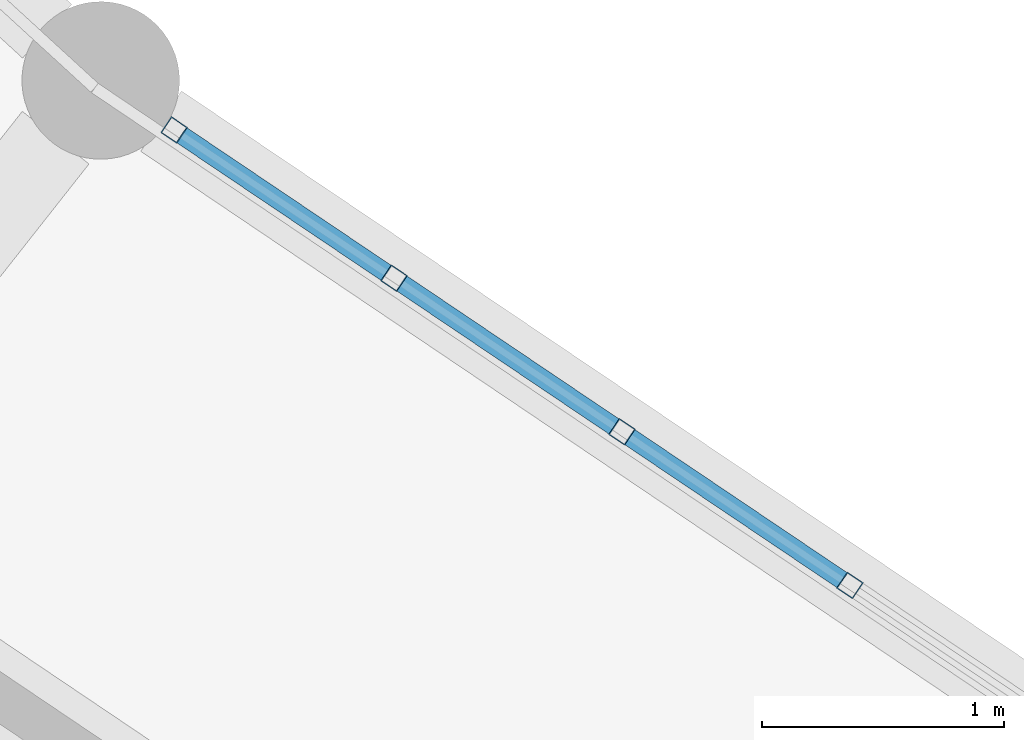
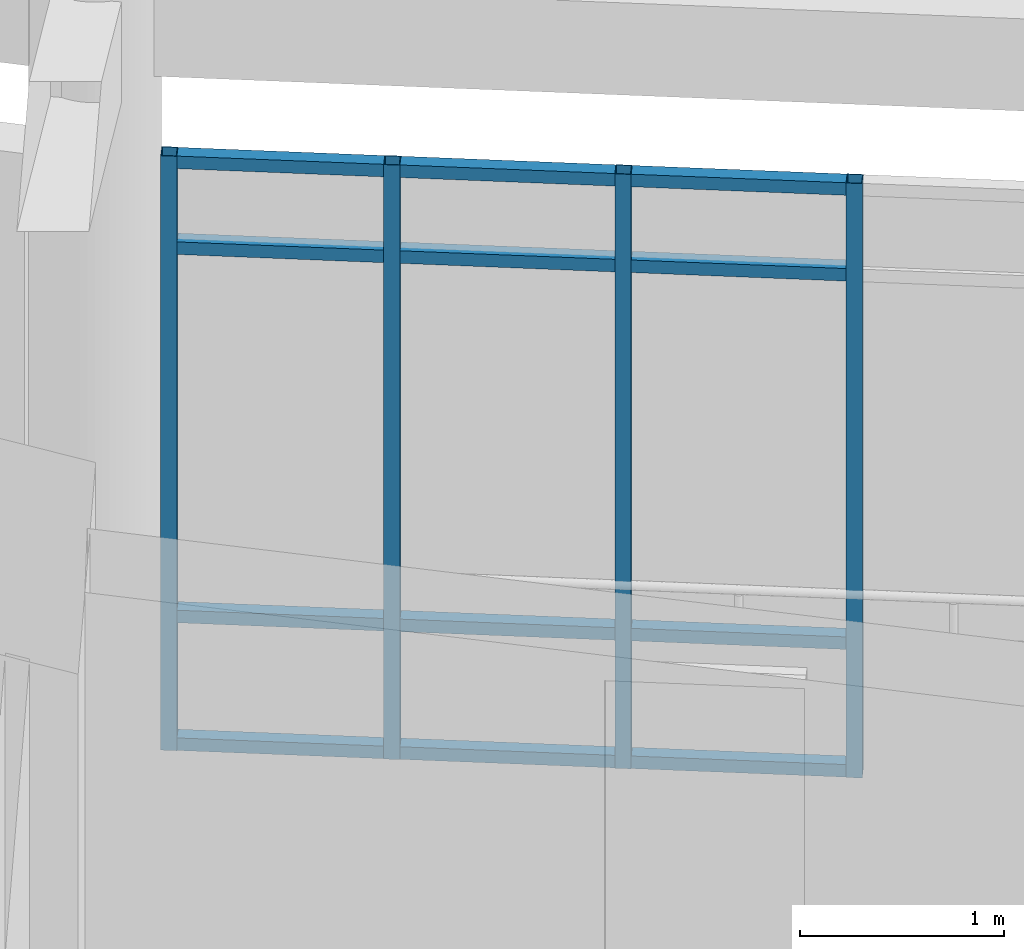
# One storey, part 17 of 159: 16 members, 1 element without a shape of its own.
"""IFC4 building model written with IfcOpenShell, lengths in metres."""

from ifc_helpers import new_model, si_unit, direction, frame, origin, origin_2d, place, context, subcontext, project, spatial, hollow_rectangle, extrude, material, material_profile, profile_set, type_object, element, aggregate, save


model = new_model("IFC4")

# Units and contexts
model_context = context("Model", 3, precision=1e-05, world=origin(), true_north=direction((0.0, 1.0)))
body_context = subcontext(model_context, "Body", "Model", "MODEL_VIEW")
ifc_project = project(units=[si_unit("LENGTHUNIT", "METRE"), si_unit("AREAUNIT", "SQUARE_METRE"), si_unit("VOLUMEUNIT", "CUBIC_METRE"), si_unit("PLANEANGLEUNIT", "RADIAN"), si_unit("MASSUNIT", "GRAM", prefix="KILO")], contexts=[model_context])

# Site, building, storey
site_placement = place(None, origin())
site = spatial("IfcSite", under=ifc_project, at=site_placement, CompositionType="ELEMENT")
building_placement = place(site_placement, origin())
building = spatial("IfcBuilding", under=site, at=building_placement, Name="Celadon Cloister-Ring School", CompositionType="ELEMENT")
storey_placement = place(building_placement, frame((0.0, 0.0, 4.5)))
storey = spatial("IfcBuildingStorey", under=building, at=storey_placement, Name="L01", CompositionType="ELEMENT", Elevation=4.5)

# Curtain wall, members
ifc_material_1 = material(Name="Aluminium EN AW-6063 T6", Category="aluminium")
curtain_wall_type = type_object("IfcCurtainWallType", Name="CW-01", PredefinedType="USERDEFINED", material=ifc_material_1)
curtain_wall_placement = place(storey_placement, origin())
curtain_wall = element("IfcCurtainWall", 1, at=curtain_wall_placement, inside=storey, type_object=curtain_wall_type, Name="Curtain Wall 0029", ObjectType="CURTAIN WALL", PredefinedType="USERDEFINED")
ifc_material_2 = material(Name="Aluminium EN AW-6063 T6", Category="aluminium")
ifc_material_profile_1 = material_profile(ifc_material_2, hollow_rectangle(XDim=0.080078125, YDim=0.080078125, WallThickness=0.00390625, at=origin_2d()), Name="RHS80X80X4")
ifc_profile_set_1 = profile_set([ifc_material_profile_1], Name="Aluminium EN AW-6063 T6")
member_type_1 = type_object("IfcMemberType", Name="CM-03", PredefinedType="MULLION", material=ifc_profile_set_1)
member_1_placement = place(storey_placement, frame((60.908203125, 25.293701171875, 0.0), z_axis=(0.0, 0.0, 1.0), x_axis=(0.558845550563, 0.829271759206, 0.0)))
member_1 = element("IfcMember", 2, at=member_1_placement, type_object=member_type_1, Name="CW-01 mullion 1", PredefinedType="MULLION", context=body_context, shape_type="SweptSolid", body=[
    extrude(hollow_rectangle(XDim=0.080078125, YDim=0.080078125, WallThickness=0.00390625, at=origin_2d()), origin(), (0.0, 0.0, 1.0), 3.550048828125),
])
member_2_placement = place(storey_placement, frame((61.815185546875, 24.682373046875, 0.0), z_axis=(0.0, 0.0, 1.0), x_axis=(0.558845550563, 0.829271759206, 0.0)))
member_2 = element("IfcMember", 3, at=member_2_placement, type_object=member_type_1, Name="CW-01 mullion 2", PredefinedType="MULLION", context=body_context, shape_type="SweptSolid", body=[
    extrude(hollow_rectangle(XDim=0.080078125, YDim=0.080078125, WallThickness=0.00390625, at=origin_2d()), origin(), (0.0, 0.0, 1.0), 3.550048828125),
])
member_3_placement = place(storey_placement, frame((62.75537109375, 24.048828125, 0.0), z_axis=(0.0, 0.0, 1.0), x_axis=(0.558845550563, 0.829271759206, 0.0)))
member_3 = element("IfcMember", 4, at=member_3_placement, type_object=member_type_1, Name="CW-01 mullion 3", PredefinedType="MULLION", context=body_context, shape_type="SweptSolid", body=[
    extrude(hollow_rectangle(XDim=0.080078125, YDim=0.080078125, WallThickness=0.00390625, at=origin_2d()), origin(), (0.0, 0.0, 1.0), 3.550048828125),
])
member_4_placement = place(storey_placement, frame((63.695556640625, 23.415283203125, 0.0), z_axis=(0.0, 0.0, 1.0), x_axis=(0.558845550563, 0.829271759206, 0.0)))
member_4 = element("IfcMember", 5, at=member_4_placement, type_object=member_type_1, Name="CW-01 mullion 4", PredefinedType="MULLION", context=body_context, shape_type="SweptSolid", body=[
    extrude(hollow_rectangle(XDim=0.080078125, YDim=0.080078125, WallThickness=0.00390625, at=origin_2d()), origin(), (0.0, 0.0, 1.0), 3.550048828125),
])
ifc_material_3 = material(Name="Aluminium EN AW-6063 T6", Category="aluminium")
ifc_material_profile_2 = material_profile(ifc_material_3, hollow_rectangle(XDim=0.074951171875, YDim=0.074951171875, WallThickness=0.00390625, at=origin_2d()), Name="RHS75X75X4")
ifc_profile_set_2 = profile_set([ifc_material_profile_2], Name="Aluminium EN AW-6063 T6")
member_type_2 = type_object("IfcMemberType", Name="CTM-03", PredefinedType="USERDEFINED", material=ifc_profile_set_2)
member_5_placement = place(storey_placement, frame((60.94140625, 25.271240234375, 0.03759765625), z_axis=(0.829297972766, -0.558806650252, 0.0), x_axis=(0.558806650252, 0.829297972766, 0.0)))
member_5 = element("IfcMember", 6, at=member_5_placement, type_object=member_type_2, Name="CW-01 transom 1.1", ObjectType="TRANSOM", PredefinedType="USERDEFINED", context=body_context, shape_type="SweptSolid", body=[
    extrude(hollow_rectangle(XDim=0.074951171875, YDim=0.074951171875, WallThickness=0.00390625, at=origin_2d()), origin(), (0.0, 0.0, 1.0), 1.013671875),
])
member_6_placement = place(storey_placement, frame((60.94140625, 25.271240234375, 0.800048828125), z_axis=(0.829297972766, -0.558806650252, 0.0), x_axis=(0.558806650252, 0.829297972766, 0.0)))
member_6 = element("IfcMember", 7, at=member_6_placement, type_object=member_type_2, Name="CW-01 transom 1.2", ObjectType="TRANSOM", PredefinedType="USERDEFINED", context=body_context, shape_type="SweptSolid", body=[
    extrude(hollow_rectangle(XDim=0.074951171875, YDim=0.074951171875, WallThickness=0.00390625, at=origin_2d()), origin(), (0.0, 0.0, 1.0), 1.013671875),
])
member_7_placement = place(storey_placement, frame((60.94140625, 25.271240234375, 3.0), z_axis=(0.829297972766, -0.558806650252, 0.0), x_axis=(0.558806650252, 0.829297972766, 0.0)))
member_7 = element("IfcMember", 8, at=member_7_placement, type_object=member_type_2, Name="CW-01 transom 1.3", ObjectType="TRANSOM", PredefinedType="USERDEFINED", context=body_context, shape_type="SweptSolid", body=[
    extrude(hollow_rectangle(XDim=0.074951171875, YDim=0.074951171875, WallThickness=0.00390625, at=origin_2d()), origin(), (0.0, 0.0, 1.0), 1.013671875),
])
member_8_placement = place(storey_placement, frame((60.94140625, 25.271240234375, 3.512451171875), z_axis=(0.829297972766, -0.558806650252, 0.0), x_axis=(0.558806650252, 0.829297972766, 0.0)))
member_8 = element("IfcMember", 9, at=member_8_placement, type_object=member_type_2, Name="CW-01 transom 1.4", ObjectType="TRANSOM", PredefinedType="USERDEFINED", context=body_context, shape_type="SweptSolid", body=[
    extrude(hollow_rectangle(XDim=0.074951171875, YDim=0.074951171875, WallThickness=0.00390625, at=origin_2d()), origin(), (0.0, 0.0, 1.0), 1.013671875),
])
member_9_placement = place(storey_placement, frame((61.848388671875, 24.66015625, 0.03759765625), z_axis=(0.829152042693, -0.559023157032, 0.0), x_axis=(0.559023157032, 0.829152042693, 0.0)))
member_9 = element("IfcMember", 10, at=member_9_placement, type_object=member_type_2, Name="CW-01 transom 2.1", ObjectType="TRANSOM", PredefinedType="USERDEFINED", context=body_context, shape_type="SweptSolid", body=[
    extrude(hollow_rectangle(XDim=0.074951171875, YDim=0.074951171875, WallThickness=0.00390625, at=origin_2d()), origin(), (0.0, 0.0, 1.0), 1.0537109375),
])
member_10_placement = place(storey_placement, frame((61.848388671875, 24.66015625, 0.800048828125), z_axis=(0.829152042693, -0.559023157032, 0.0), x_axis=(0.559023157032, 0.829152042693, 0.0)))
member_10 = element("IfcMember", 11, at=member_10_placement, type_object=member_type_2, Name="CW-01 transom 2.2", ObjectType="TRANSOM", PredefinedType="USERDEFINED", context=body_context, shape_type="SweptSolid", body=[
    extrude(hollow_rectangle(XDim=0.074951171875, YDim=0.074951171875, WallThickness=0.00390625, at=origin_2d()), origin(), (0.0, 0.0, 1.0), 1.0537109375),
])
member_11_placement = place(storey_placement, frame((61.848388671875, 24.66015625, 3.0), z_axis=(0.829152042693, -0.559023157032, 0.0), x_axis=(0.559023157032, 0.829152042693, 0.0)))
member_11 = element("IfcMember", 12, at=member_11_placement, type_object=member_type_2, Name="CW-01 transom 2.3", ObjectType="TRANSOM", PredefinedType="USERDEFINED", context=body_context, shape_type="SweptSolid", body=[
    extrude(hollow_rectangle(XDim=0.074951171875, YDim=0.074951171875, WallThickness=0.00390625, at=origin_2d()), origin(), (0.0, 0.0, 1.0), 1.0537109375),
])
member_12_placement = place(storey_placement, frame((61.848388671875, 24.66015625, 3.512451171875), z_axis=(0.829152042693, -0.559023157032, 0.0), x_axis=(0.559023157032, 0.829152042693, 0.0)))
member_12 = element("IfcMember", 13, at=member_12_placement, type_object=member_type_2, Name="CW-01 transom 2.4", ObjectType="TRANSOM", PredefinedType="USERDEFINED", context=body_context, shape_type="SweptSolid", body=[
    extrude(hollow_rectangle(XDim=0.074951171875, YDim=0.074951171875, WallThickness=0.00390625, at=origin_2d()), origin(), (0.0, 0.0, 1.0), 1.0537109375),
])
member_13_placement = place(storey_placement, frame((62.78857421875, 24.0263671875, 0.03759765625), z_axis=(0.829259424525, -0.558863853578, 0.0), x_axis=(0.558863853578, 0.829259424525, 0.0)))
member_13 = element("IfcMember", 14, at=member_13_placement, type_object=member_type_2, Name="CW-01 transom 3.1", ObjectType="TRANSOM", PredefinedType="USERDEFINED", context=body_context, shape_type="SweptSolid", body=[
    extrude(hollow_rectangle(XDim=0.074951171875, YDim=0.074951171875, WallThickness=0.00390625, at=origin_2d()), origin(), (0.0, 0.0, 1.0), 1.0537109375),
])
member_14_placement = place(storey_placement, frame((62.78857421875, 24.0263671875, 0.800048828125), z_axis=(0.829259424525, -0.558863853578, 0.0), x_axis=(0.558863853578, 0.829259424525, 0.0)))
member_14 = element("IfcMember", 15, at=member_14_placement, type_object=member_type_2, Name="CW-01 transom 3.2", ObjectType="TRANSOM", PredefinedType="USERDEFINED", context=body_context, shape_type="SweptSolid", body=[
    extrude(hollow_rectangle(XDim=0.074951171875, YDim=0.074951171875, WallThickness=0.00390625, at=origin_2d()), origin(), (0.0, 0.0, 1.0), 1.0537109375),
])
member_15_placement = place(storey_placement, frame((62.78857421875, 24.0263671875, 3.0), z_axis=(0.829259424525, -0.558863853578, 0.0), x_axis=(0.558863853578, 0.829259424525, 0.0)))
member_15 = element("IfcMember", 16, at=member_15_placement, type_object=member_type_2, Name="CW-01 transom 3.3", ObjectType="TRANSOM", PredefinedType="USERDEFINED", context=body_context, shape_type="SweptSolid", body=[
    extrude(hollow_rectangle(XDim=0.074951171875, YDim=0.074951171875, WallThickness=0.00390625, at=origin_2d()), origin(), (0.0, 0.0, 1.0), 1.0537109375),
])
member_16_placement = place(storey_placement, frame((62.78857421875, 24.0263671875, 3.512451171875), z_axis=(0.829259424525, -0.558863853578, 0.0), x_axis=(0.558863853578, 0.829259424525, 0.0)))
member_16 = element("IfcMember", 17, at=member_16_placement, type_object=member_type_2, Name="CW-01 transom 3.4", ObjectType="TRANSOM", PredefinedType="USERDEFINED", context=body_context, shape_type="SweptSolid", body=[
    extrude(hollow_rectangle(XDim=0.074951171875, YDim=0.074951171875, WallThickness=0.00390625, at=origin_2d()), origin(), (0.0, 0.0, 1.0), 1.0537109375),
])
aggregate(curtain_wall, [member_1, member_2, member_3, member_4, member_5, member_6, member_7, member_8, member_9, member_10, member_11, member_12, member_13, member_14, member_15, member_16])

save(model, "model.ifc")
